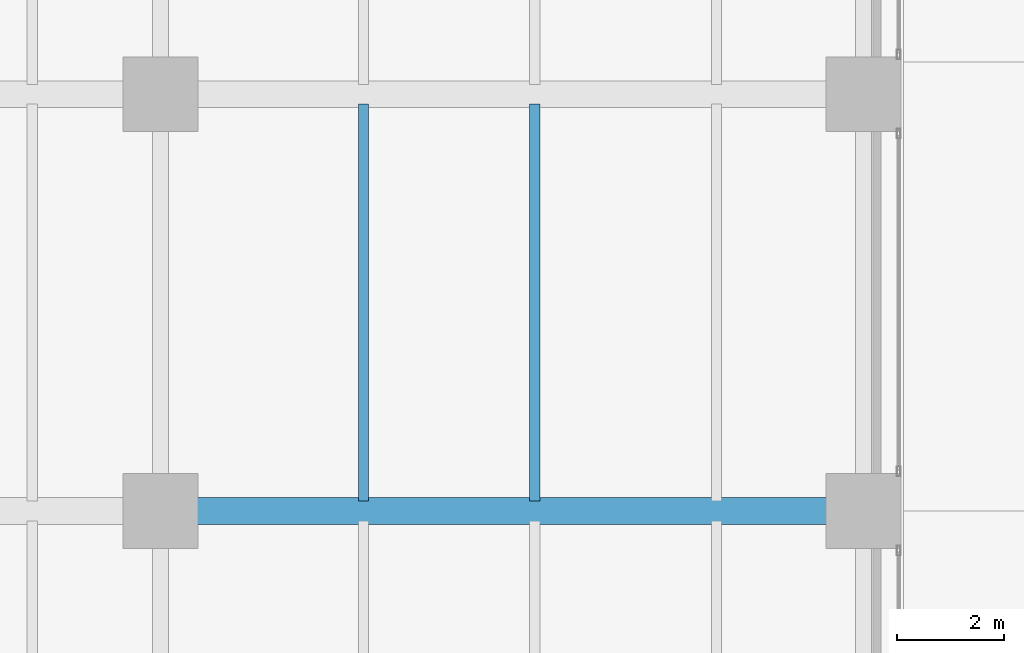
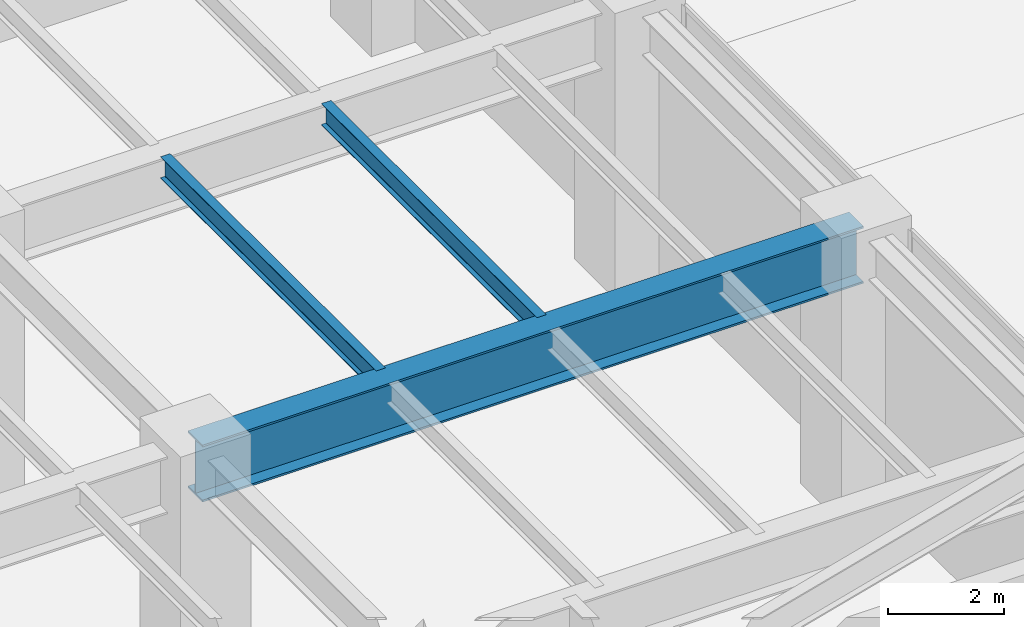
# One storey, part 3 of 28: 3 beams.
"""IFC4 building model written with IfcOpenShell, lengths in metres."""

from ifc_helpers import new_model, si_unit, direction, frame, origin, origin_2d, place, context, subcontext, project, spatial, i_section, extrude, source, transform, mapped, material, material_profile, profile_set, type_object, type_shapes, element, save


model = new_model("IFC4")

# Units and contexts
model_context = context("Model", 3, precision=1e-05, world=origin(), true_north=direction((0.0, 1.0)))
body_context = subcontext(model_context, "Body", "Model", "MODEL_VIEW")
ifc_project = project(units=[si_unit("LENGTHUNIT", "METRE"), si_unit("AREAUNIT", "SQUARE_METRE"), si_unit("VOLUMEUNIT", "CUBIC_METRE"), si_unit("PLANEANGLEUNIT", "RADIAN"), si_unit("MASSUNIT", "GRAM", prefix="KILO")], contexts=[model_context])

# Site, building, storey
site_placement = place(None, origin())
site = spatial("IfcSite", under=ifc_project, at=site_placement, CompositionType="ELEMENT")
building_placement = place(site_placement, origin())
building = spatial("IfcBuilding", under=site, at=building_placement, Name="Tolvann Quenvar Hotel", CompositionType="ELEMENT")
storey_placement = place(building_placement, origin())
storey = spatial("IfcBuildingStorey", under=building, at=storey_placement, Name="L00", CompositionType="ELEMENT", Elevation=0.0)

# Beams
ifc_material = material(Name="Steel Grade 350", Category="steel")
ifc_material_profile_1 = material_profile(ifc_material, i_section(OverallWidth=0.5, OverallDepth=1.199951171875, WebThickness=0.01611328125, FlangeThickness=0.0400390625, at=origin_2d()), Name="1200WB455")
ifc_profile_set_1 = profile_set([ifc_material_profile_1], Name="Steel Grade 350")
beam_type_1 = type_object("IfcBeamType", Name="BM_TG_1200WB455", PredefinedType="USERDEFINED", material=ifc_profile_set_1)
shared_shape_1 = source(origin(), body_context, "Body", "SweptSolid", [
    extrude(i_section(OverallWidth=0.5, OverallDepth=1.199951171875, WebThickness=0.01611328125, FlangeThickness=0.0400390625, at=origin_2d()), origin(), (0.0, 0.0, 1.0), 13.14990234375),
])
type_shapes(beam_type_1, [shared_shape_1])
beam_placement = place(storey_placement, frame((5.60009765625, 8.199951171875, 5.139892578125), z_axis=(1.0, 0.0, 0.0), x_axis=(0.0, 1.0, 0.0)))
element("IfcBeam", 1, at=beam_placement, inside=storey, type_object=beam_type_1, Name="BM-L00-GW2-2", ObjectType="TRANSFER GIRDER", PredefinedType="USERDEFINED", context=body_context, shape_type="MappedRepresentation", body=[
    mapped(shared_shape_1, transform((0.0, 0.0, 0.0), x_axis=(1.0, 0.0, 0.0), y_axis=(0.0, 1.0, 0.0), z_axis=(0.0, 0.0, 1.0), scale=1.0)),
])
ifc_material_profile_2 = material_profile(ifc_material, i_section(OverallWidth=0.18994140625, OverallDepth=0.4541015625, WebThickness=0.008544921875, FlangeThickness=0.0126953125, FilletRadius=0.011474609375, at=origin_2d()), Name="460UB67")
ifc_profile_set_2 = profile_set([ifc_material_profile_2], Name="Steel Grade 350")
beam_type_2 = type_object("IfcBeamType", Name="BM_JOIST_460UB67", PredefinedType="JOIST", material=ifc_profile_set_2)
shared_shape_2 = source(origin(), body_context, "Body", "SweptSolid", [
    extrude(i_section(OverallWidth=0.18994140625, OverallDepth=0.4541015625, WebThickness=0.008544921875, FlangeThickness=0.0126953125, FilletRadius=0.011474609375, at=origin_2d()), origin(), (0.0, 0.0, 1.0), 7.429931640625),
])
type_shapes(beam_type_2, [shared_shape_2])
for number, where, z_axis, x_axis, name in (
    (2, (9.39990234375, 8.385009765625, 5.512939453125), (0.0, 1.0, 0.0), (-1.0, 0.0, 0.0), "BJ-L00-94-82"),
    (3, (12.60009765625, 8.385009765625, 5.512939453125), (0.0, 1.0, 0.0), (-1.0, 0.0, 0.0), "BJ-L00-126-82"),
):
    element("IfcBeam", number, at=place(storey_placement, frame(where, z_axis=z_axis, x_axis=x_axis)), inside=storey, type_object=beam_type_2, Name=name, PredefinedType="JOIST", context=body_context, shape_type="MappedRepresentation", body=[
        mapped(shared_shape_2, transform((0.0, 0.0, 0.0), x_axis=(1.0, 0.0, 0.0), y_axis=(0.0, 1.0, 0.0), z_axis=(0.0, 0.0, 1.0), scale=1.0)),
    ])

save(model, "model.ifc")
